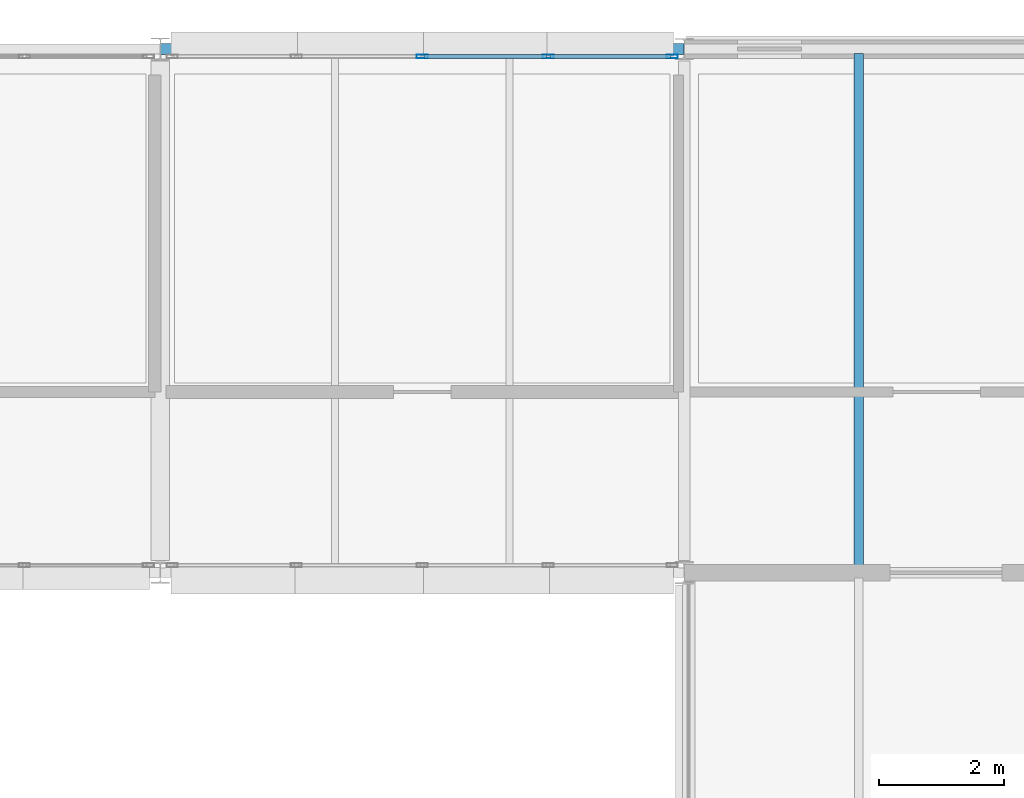
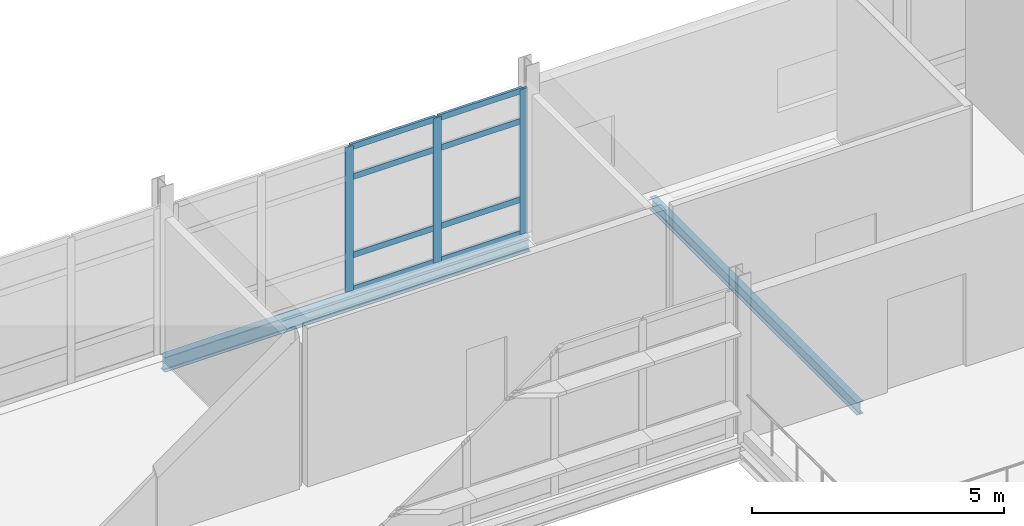
# One storey, part 19 of 66: 11 members, 2 beams, 1 element without a shape of its own.
"""IFC4 building model written with IfcOpenShell, lengths in metres."""

from ifc_helpers import new_model, si_unit, direction, frame, origin, origin_2d, place, context, subcontext, project, spatial, hollow_rectangle, i_section, extrude, material, material_profile, profile_set, type_object, element, aggregate, save


model = new_model("IFC4")

# Units and contexts
model_context = context("Model", 3, precision=1e-05, world=origin(), true_north=direction((0.0, 1.0)))
body_context = subcontext(model_context, "Body", "Model", "MODEL_VIEW")
ifc_project = project(units=[si_unit("LENGTHUNIT", "METRE"), si_unit("AREAUNIT", "SQUARE_METRE"), si_unit("VOLUMEUNIT", "CUBIC_METRE"), si_unit("PLANEANGLEUNIT", "RADIAN"), si_unit("MASSUNIT", "GRAM", prefix="KILO")], contexts=[model_context])

# Site, building, storey
site_placement = place(None, origin())
site = spatial("IfcSite", under=ifc_project, at=site_placement, CompositionType="ELEMENT")
building_placement = place(site_placement, origin())
building = spatial("IfcBuilding", under=site, at=building_placement, Name="Mersafa Astral City Hall", CompositionType="ELEMENT")
storey_placement = place(building_placement, frame((0.0, 0.0, 22.050048828125)))
storey = spatial("IfcBuildingStorey", under=building, at=storey_placement, Name="L05", CompositionType="ELEMENT", Elevation=22.050048828125)

# Curtain wall, members
ifc_material_1 = material(Name="Anodised bronze aluminium framing", Category="aluminium")
curtain_wall_type = type_object("IfcCurtainWallType", Name="ENV-CW-4", PredefinedType="USERDEFINED", material=ifc_material_1)
curtain_wall_placement = place(storey_placement, origin())
curtain_wall = element("IfcCurtainWall", 1, at=curtain_wall_placement, inside=storey, type_object=curtain_wall_type, Name="L05 Unitised solar curtain wall 231", ObjectType="UNITISED CURTAIN WALL", PredefinedType="USERDEFINED")
ifc_material_profile_1 = material_profile(ifc_material_1, hollow_rectangle(XDim=0.06005859375, YDim=0.179931640625, WallThickness=0.00390625, at=origin_2d()), Name="RHS 60x180x4")
ifc_profile_set_1 = profile_set([ifc_material_profile_1], Name="Anodised bronze aluminium framing")
member_type_1 = type_object("IfcMemberType", Name="ENV-CW-MUL-1", PredefinedType="MULLION", material=ifc_profile_set_1)
member_1_placement = place(storey_placement, frame((100.60791015625, 125.8798828125, -0.001953125), z_axis=(0.0, 0.0, 1.0), x_axis=(0.0, -1.0, 0.0)))
member_1 = element("IfcMember", 2, at=member_1_placement, type_object=member_type_1, Name="CW-4 mullion 1", PredefinedType="MULLION", context=body_context, shape_type="SweptSolid", body=[
    extrude(hollow_rectangle(XDim=0.06005859375, YDim=0.179931640625, WallThickness=0.00390625, at=origin_2d()), origin(), (0.0, 0.0, 1.0), 3.513916015625),
])
member_2_placement = place(storey_placement, frame((98.618896484375, 125.8798828125, -0.001953125), z_axis=(0.0, 0.0, 1.0), x_axis=(0.0, -1.0, 0.0)))
member_2 = element("IfcMember", 3, at=member_2_placement, type_object=member_type_1, Name="CW-4 mullion 2", PredefinedType="MULLION", context=body_context, shape_type="SweptSolid", body=[
    extrude(hollow_rectangle(XDim=0.06005859375, YDim=0.179931640625, WallThickness=0.00390625, at=origin_2d()), origin(), (0.0, 0.0, 1.0), 3.513916015625),
])
member_3_placement = place(storey_placement, frame((96.60009765625, 125.8798828125, -0.001953125), z_axis=(0.0, 0.0, 1.0), x_axis=(0.0, -1.0, 0.0)))
member_3 = element("IfcMember", 4, at=member_3_placement, type_object=member_type_1, Name="CW-4 mullion 3", PredefinedType="MULLION", context=body_context, shape_type="SweptSolid", body=[
    extrude(hollow_rectangle(XDim=0.06005859375, YDim=0.179931640625, WallThickness=0.00390625, at=origin_2d()), origin(), (0.0, 0.0, 1.0), 3.513916015625),
])
ifc_material_profile_2 = material_profile(ifc_material_1, hollow_rectangle(XDim=0.06005859375, YDim=0.139892578125, WallThickness=0.00390625, at=origin_2d()), Name="RHS 60x140x4")
ifc_profile_set_2 = profile_set([ifc_material_profile_2], Name="Anodised bronze aluminium framing")
member_type_2 = type_object("IfcMemberType", Name="ENV-CW-TRN-1", PredefinedType="USERDEFINED", material=ifc_profile_set_2)
member_4_placement = place(storey_placement, frame((100.577880859375, 125.8798828125, 0.02783203125), z_axis=(-1.0, 0.0, 0.0), x_axis=(0.0, -1.0, 0.0)))
member_4 = element("IfcMember", 5, at=member_4_placement, type_object=member_type_2, Name="CW-4 transom 1.1", ObjectType="TRANSOM", PredefinedType="USERDEFINED", context=body_context, shape_type="SweptSolid", body=[
    extrude(hollow_rectangle(XDim=0.06005859375, YDim=0.139892578125, WallThickness=0.00390625, at=origin_2d()), origin(), (0.0, 0.0, 1.0), 1.928955078125),
])
member_5_placement = place(storey_placement, frame((100.577880859375, 125.8798828125, 0.849853515625), z_axis=(-1.0, 0.0, 0.0), x_axis=(0.0, -1.0, 0.0)))
member_5 = element("IfcMember", 6, at=member_5_placement, type_object=member_type_2, Name="CW-4 transom 1.2", ObjectType="TRANSOM", PredefinedType="USERDEFINED", context=body_context, shape_type="SweptSolid", body=[
    extrude(hollow_rectangle(XDim=0.06005859375, YDim=0.139892578125, WallThickness=0.00390625, at=origin_2d()), origin(), (0.0, 0.0, 1.0), 1.928955078125),
])
member_6_placement = place(storey_placement, frame((100.577880859375, 125.8798828125, 2.75), z_axis=(-1.0, 0.0, 0.0), x_axis=(0.0, -1.0, 0.0)))
member_6 = element("IfcMember", 7, at=member_6_placement, type_object=member_type_2, Name="CW-4 transom 1.3", ObjectType="TRANSOM", PredefinedType="USERDEFINED", context=body_context, shape_type="SweptSolid", body=[
    extrude(hollow_rectangle(XDim=0.06005859375, YDim=0.139892578125, WallThickness=0.00390625, at=origin_2d()), origin(), (0.0, 0.0, 1.0), 1.928955078125),
])
member_7_placement = place(storey_placement, frame((100.577880859375, 125.8798828125, 3.48193359375), z_axis=(-1.0, 0.0, 0.0), x_axis=(0.0, -1.0, 0.0)))
member_7 = element("IfcMember", 8, at=member_7_placement, type_object=member_type_2, Name="CW-4 transom 1.4", ObjectType="TRANSOM", PredefinedType="USERDEFINED", context=body_context, shape_type="SweptSolid", body=[
    extrude(hollow_rectangle(XDim=0.06005859375, YDim=0.139892578125, WallThickness=0.00390625, at=origin_2d()), origin(), (0.0, 0.0, 1.0), 1.928955078125),
])
member_8_placement = place(storey_placement, frame((98.589111328125, 125.8798828125, 0.02783203125), z_axis=(-1.0, 0.0, 0.0), x_axis=(0.0, -1.0, 0.0)))
member_8 = element("IfcMember", 9, at=member_8_placement, type_object=member_type_2, Name="CW-4 transom 2.1", ObjectType="TRANSOM", PredefinedType="USERDEFINED", context=body_context, shape_type="SweptSolid", body=[
    extrude(hollow_rectangle(XDim=0.06005859375, YDim=0.139892578125, WallThickness=0.00390625, at=origin_2d()), origin(), (0.0, 0.0, 1.0), 1.959228515625),
])
member_9_placement = place(storey_placement, frame((98.589111328125, 125.8798828125, 0.849853515625), z_axis=(-1.0, 0.0, 0.0), x_axis=(0.0, -1.0, 0.0)))
member_9 = element("IfcMember", 10, at=member_9_placement, type_object=member_type_2, Name="CW-4 transom 2.2", ObjectType="TRANSOM", PredefinedType="USERDEFINED", context=body_context, shape_type="SweptSolid", body=[
    extrude(hollow_rectangle(XDim=0.06005859375, YDim=0.139892578125, WallThickness=0.00390625, at=origin_2d()), origin(), (0.0, 0.0, 1.0), 1.959228515625),
])
member_10_placement = place(storey_placement, frame((98.589111328125, 125.8798828125, 2.75), z_axis=(-1.0, 0.0, 0.0), x_axis=(0.0, -1.0, 0.0)))
member_10 = element("IfcMember", 11, at=member_10_placement, type_object=member_type_2, Name="CW-4 transom 2.3", ObjectType="TRANSOM", PredefinedType="USERDEFINED", context=body_context, shape_type="SweptSolid", body=[
    extrude(hollow_rectangle(XDim=0.06005859375, YDim=0.139892578125, WallThickness=0.00390625, at=origin_2d()), origin(), (0.0, 0.0, 1.0), 1.959228515625),
])
member_11_placement = place(storey_placement, frame((98.589111328125, 125.8798828125, 3.48193359375), z_axis=(-1.0, 0.0, 0.0), x_axis=(0.0, -1.0, 0.0)))
member_11 = element("IfcMember", 12, at=member_11_placement, type_object=member_type_2, Name="CW-4 transom 2.4", ObjectType="TRANSOM", PredefinedType="USERDEFINED", context=body_context, shape_type="SweptSolid", body=[
    extrude(hollow_rectangle(XDim=0.06005859375, YDim=0.139892578125, WallThickness=0.00390625, at=origin_2d()), origin(), (0.0, 0.0, 1.0), 1.959228515625),
])
aggregate(curtain_wall, [member_1, member_2, member_3, member_4, member_5, member_6, member_7, member_8, member_9, member_10, member_11])

# Beams
ifc_material_2 = material(Name="Steel S355", Category="steel")
ifc_material_profile_3 = material_profile(ifc_material_2, i_section(OverallWidth=0.14990234375, OverallDepth=0.300048828125, WebThickness=0.007080078125, FlangeThickness=0.0107421875, FilletRadius=0.014892578125, at=origin_2d()), Name="IPE 300")
ifc_profile_set_3 = profile_set([ifc_material_profile_3], Name="Steel S355")
beam_type_1 = type_object("IfcBeamType", Name="STR-BM-JOIST-IPE300", PredefinedType="JOIST", material=ifc_profile_set_3)
beam_1_placement = place(storey_placement, frame((103.60009765625, 117.679931640625, -0.330078125), z_axis=(0.0, 1.0, 0.0), x_axis=(-1.0, 0.0, 0.0)))
element("IfcBeam", 13, at=beam_1_placement, inside=storey, type_object=beam_type_1, Name="L05 Composite secondary floor joist 799", PredefinedType="JOIST", context=body_context, shape_type="SweptSolid", body=[
    extrude(i_section(OverallWidth=0.14990234375, OverallDepth=0.300048828125, WebThickness=0.007080078125, FlangeThickness=0.0107421875, FilletRadius=0.014892578125, at=origin_2d()), origin(), (0.0, 0.0, 1.0), 8.2451171875),
])
ifc_material_profile_4 = material_profile(ifc_material_2, i_section(OverallWidth=0.169921875, OverallDepth=0.360107421875, WebThickness=0.008056640625, FlangeThickness=0.0126953125, FilletRadius=0.01806640625, at=origin_2d()), Name="IPE 360")
ifc_profile_set_4 = profile_set([ifc_material_profile_4], Name="Steel S355")
beam_type_2 = type_object("IfcBeamType", Name="STR-BM-SPANDREL-IPE360", PredefinedType="SPANDREL", material=ifc_profile_set_4)
beam_2_placement = place(storey_placement, frame((92.403076171875, 126.0, -0.360107421875), z_axis=(1.0, 0.0, 0.0), x_axis=(0.0, 1.0, 0.0)))
element("IfcBeam", 14, at=beam_2_placement, inside=storey, type_object=beam_type_2, Name="L05 Primary girder X 11-15", PredefinedType="SPANDREL", context=body_context, shape_type="SweptSolid", body=[
    extrude(i_section(OverallWidth=0.169921875, OverallDepth=0.360107421875, WebThickness=0.008056640625, FlangeThickness=0.0126953125, FilletRadius=0.01806640625, at=origin_2d()), origin(), (0.0, 0.0, 1.0), 8.39404296875),
])

save(model, "model.ifc")
